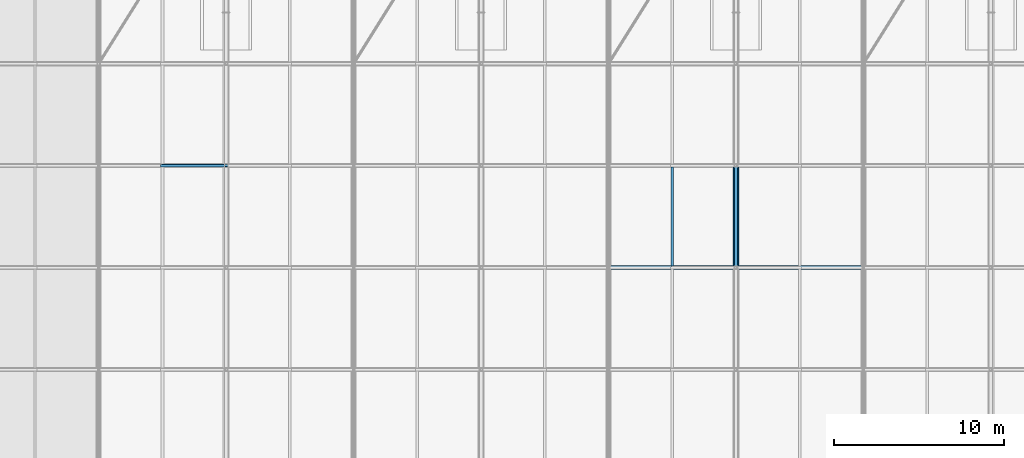
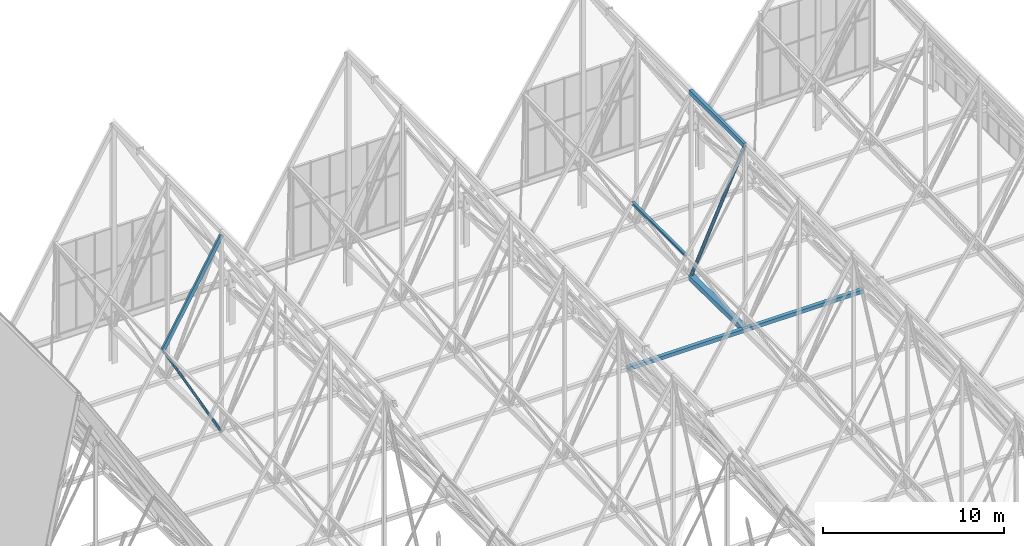
# One storey, part 162 of 324: 6 members, 1 beam.
"""IFC4 building model written with IfcOpenShell, lengths in metres."""

from ifc_helpers import new_model, si_unit, direction, frame, origin, origin_2d, place, context, subcontext, project, spatial, hollow_rectangle, hollow_circle, i_section, extrude, material, material_profile, profile_set, type_object, element, save


model = new_model("IFC4")

# Units and contexts
model_context = context("Model", 3, precision=1e-05, world=origin(), true_north=direction((0.0, 1.0)))
body_context = subcontext(model_context, "Body", "Model", "MODEL_VIEW")
ifc_project = project(units=[si_unit("LENGTHUNIT", "METRE"), si_unit("AREAUNIT", "SQUARE_METRE"), si_unit("VOLUMEUNIT", "CUBIC_METRE"), si_unit("PLANEANGLEUNIT", "RADIAN"), si_unit("MASSUNIT", "GRAM", prefix="KILO")], contexts=[model_context])

# Site, building, storey
site_placement = place(None, origin())
site = spatial("IfcSite", under=ifc_project, at=site_placement, CompositionType="ELEMENT")
building_placement = place(site_placement, origin())
building = spatial("IfcBuilding", under=site, at=building_placement, Name="Solvenia Promenade Tram Depot", CompositionType="ELEMENT")
storey_placement = place(building_placement, frame((0.0, 0.0, 4.5)))
storey = spatial("IfcBuildingStorey", under=building, at=storey_placement, Name="L01", CompositionType="ELEMENT", Elevation=4.5)

# Members
ifc_material_1 = material(Name="Structural steel ASTM A500 Gr. C", Category="steel")
ifc_material_profile_1 = material_profile(ifc_material_1, hollow_circle(Radius=0.109619140625, WallThickness=0.008056640625, at=origin_2d()), Name="CHS219.1x8", Category="steel")
ifc_profile_set_1 = profile_set([ifc_material_profile_1], Name="Structural steel ASTM A500 Gr. C")
member_type_1 = type_object("IfcMemberType", Name="Brace-CHS219x8", PredefinedType="BRACE", material=ifc_profile_set_1)
member_1_placement = place(storey_placement, frame((127.5, 114.0, 2.5439453125), z_axis=(0.0, -0.432840998382, 0.901470282438), x_axis=(1.0, 0.0, 0.0)))
element("IfcMember", 1, at=member_1_placement, inside=storey, type_object=member_type_1, Name="Arched Truss T18 Web Diagonal S08", PredefinedType="BRACE", context=body_context, shape_type="SweptSolid", body=[
    extrude(hollow_circle(Radius=0.109619140625, WallThickness=0.008056640625, at=origin_2d()), origin(), (0.0, 0.0, 1.0), 13.86181640625),
])
ifc_material_profile_2 = material_profile(ifc_material_1, hollow_rectangle(XDim=0.14990234375, YDim=0.25, WallThickness=0.010009765625, at=origin_2d()), Name="HSS250x150x10", Category="steel")
ifc_profile_set_2 = profile_set([ifc_material_profile_2], Name="Structural steel ASTM A500 Gr. C")
member_type_2 = type_object("IfcMemberType", Name="Chord-HSS250x150x10", PredefinedType="CHORD", material=ifc_profile_set_2)
member_2_placement = place(storey_placement, frame((93.75, 114.0, 9.39013671875), z_axis=(0.501516268578, 0.0, 0.865148214095), x_axis=(0.0, 1.0, 0.0)))
element("IfcMember", 2, at=member_2_placement, inside=storey, type_object=member_type_2, Name="Zigzag Gable 07 West Upper Rafter", PredefinedType="CHORD", context=body_context, shape_type="SweptSolid", body=[
    extrude(hollow_rectangle(XDim=0.14990234375, YDim=0.25, WallThickness=0.010009765625, at=origin_2d()), origin(), (0.0, 0.0, 1.0), 7.477294921875),
])
ifc_material_profile_3 = material_profile(ifc_material_1, hollow_rectangle(XDim=0.25, YDim=0.25, WallThickness=0.010009765625, at=origin_2d()), Name="HSS250x250x10", Category="steel")
ifc_profile_set_3 = profile_set([ifc_material_profile_3], Name="Structural steel ASTM A500 Gr. C")
member_type_3 = type_object("IfcMemberType", Name="Chord-HSS250x250x10", PredefinedType="CHORD", material=ifc_profile_set_3)
member_3_placement = place(storey_placement, frame((120.0, 108.0, 2.614013671875), z_axis=(1.0, 0.0, 0.0), x_axis=(0.0, 1.0, 0.0)))
element("IfcMember", 3, at=member_3_placement, inside=storey, type_object=member_type_3, Name="Bottom-Chord Catenary Lateral Tie 079", PredefinedType="CHORD", context=body_context, shape_type="SweptSolid", body=[
    extrude(hollow_rectangle(XDim=0.25, YDim=0.25, WallThickness=0.010009765625, at=origin_2d()), origin(), (0.0, 0.0, 1.0), 15.0),
])
ifc_material_profile_4 = material_profile(ifc_material_1, hollow_rectangle(XDim=0.199951171875, YDim=0.300048828125, WallThickness=0.012451171875, at=origin_2d()), Name="HSS300x200x12.5", Category="steel")
ifc_profile_set_4 = profile_set([ifc_material_profile_4], Name="Structural steel ASTM A500 Gr. C")
member_type_4 = type_object("IfcMemberType", Name="Chord-HSS300x200x12", PredefinedType="CHORD", material=ifc_profile_set_4)
member_4_placement = place(storey_placement, frame((127.5, 108.0, 15.0400390625), z_axis=(0.0, 1.0, 0.0), x_axis=(-1.0, 0.0, 0.0)))
element("IfcMember", 4, at=member_4_placement, inside=storey, type_object=member_type_4, Name="Arched Truss T18 Upper Chord S08", PredefinedType="CHORD", context=body_context, shape_type="SweptSolid", body=[
    extrude(hollow_rectangle(XDim=0.199951171875, YDim=0.300048828125, WallThickness=0.012451171875, at=origin_2d()), origin(), (0.0, 0.0, 1.0), 6.0),
])
ifc_material_profile_5 = material_profile(ifc_material_1, hollow_rectangle(XDim=0.35009765625, YDim=0.35009765625, WallThickness=0.01611328125, at=origin_2d()), Name="HSS350x350x16", Category="steel")
ifc_profile_set_5 = profile_set([ifc_material_profile_5], Name="Structural steel ASTM A500 Gr. C")
member_type_5 = type_object("IfcMemberType", Name="Chord-HSS350x350x16", PredefinedType="CHORD", material=ifc_profile_set_5)
member_5_placement = place(storey_placement, frame((127.5, 108.0, 2.614013671875), z_axis=(0.0, 0.999931818432, -0.011677263667), x_axis=(-1.0, 0.0, 0.0)))
element("IfcMember", 5, at=member_5_placement, inside=storey, type_object=member_type_5, Name="Arched Truss T18 Bottom Chord S08", PredefinedType="CHORD", context=body_context, shape_type="SweptSolid", body=[
    extrude(hollow_rectangle(XDim=0.35009765625, YDim=0.35009765625, WallThickness=0.01611328125, at=origin_2d()), origin(), (0.0, 0.0, 1.0), 6.00048828125),
])

# Beam
ifc_material_2 = material(Name="Structural steel ASTM A992 Gr. 50", Category="steel")
ifc_material_profile_6 = material_profile(ifc_material_2, i_section(OverallWidth=0.1650390625, OverallDepth=0.200927734375, WebThickness=0.006103515625, FlangeThickness=0.01025390625, FilletRadius=0.010009765625, at=origin_2d()), Name="W200x36", Category="steel")
ifc_profile_set_6 = profile_set([ifc_material_profile_6], Name="Structural steel ASTM A992 Gr. 50")
beam_type = type_object("IfcBeamType", Name="Purlin-W200x36", PredefinedType="USERDEFINED", material=ifc_profile_set_6)
beam_placement = place(storey_placement, frame((123.75, 108.0849609375, 8.8857421875), z_axis=(0.0, 1.0, 0.0), x_axis=(-1.0, 0.0, 0.0)))
element("IfcBeam", 6, at=beam_placement, inside=storey, type_object=beam_type, Name="Gable Roof Purlin W-0175", ObjectType="PURLIN", PredefinedType="USERDEFINED", context=body_context, shape_type="SweptSolid", body=[
    extrude(i_section(OverallWidth=0.1650390625, OverallDepth=0.200927734375, WebThickness=0.006103515625, FlangeThickness=0.01025390625, FilletRadius=0.010009765625, at=origin_2d()), origin(), (0.0, 0.0, 1.0), 5.830078125),
])

# Member
ifc_material_profile_7 = material_profile(ifc_material_1, hollow_circle(Radius=0.084228515625, WallThickness=0.008056640625, at=origin_2d()), Name="CHS168.3x8", Category="steel")
ifc_profile_set_7 = profile_set([ifc_material_profile_7], Name="Structural steel ASTM A500 Gr. C")
member_type_6 = type_object("IfcMemberType", Name="WebDiag-CHS168x8", PredefinedType="BRACE", material=ifc_profile_set_7)
member_6_placement = place(storey_placement, frame((97.5, 114.0, 2.5439453125), z_axis=(-0.480402843129, 0.0, 0.877047950978), x_axis=(0.0, -1.0, 0.0)))
element("IfcMember", 7, at=member_6_placement, inside=storey, type_object=member_type_6, Name="Zigzag Gable 07 West Knee Strut", PredefinedType="BRACE", context=body_context, shape_type="SweptSolid", body=[
    extrude(hollow_circle(Radius=0.084228515625, WallThickness=0.008056640625, at=origin_2d()), origin(), (0.0, 0.0, 1.0), 7.805908203125),
])

save(model, "model.ifc")
